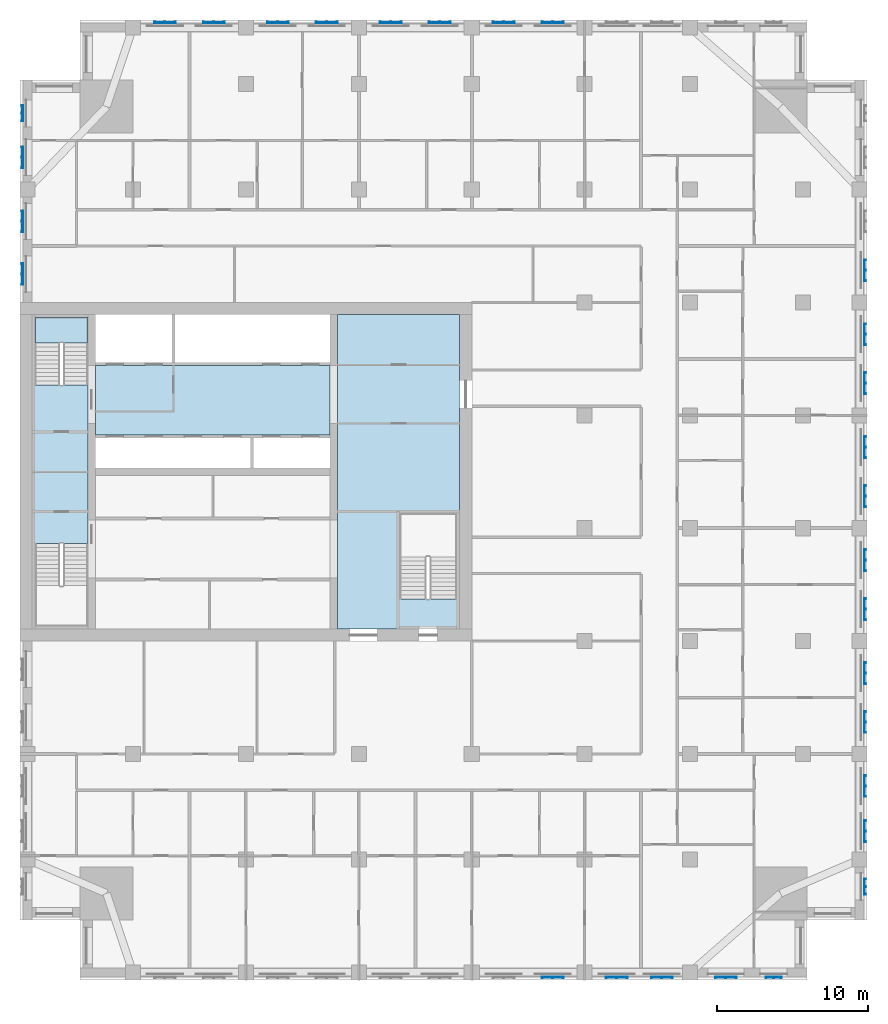
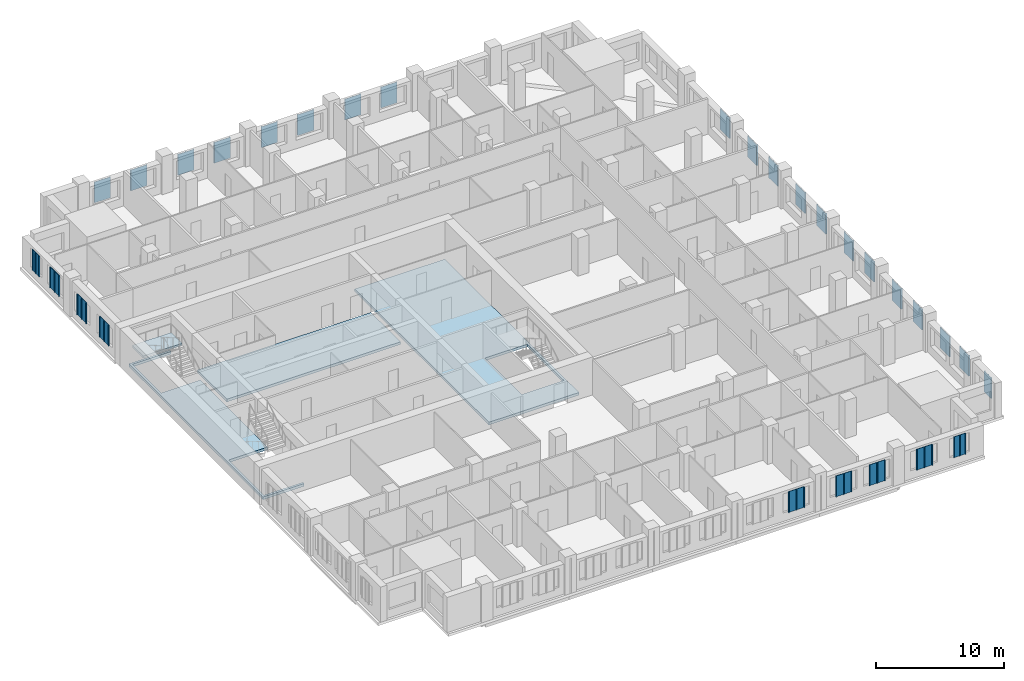
# One storey, part 2 of 13: 29 plates, 4 slabs, 1 element without a shape of its own.
"""IFC4 building model written with IfcOpenShell, lengths in metres."""

from ifc_helpers import new_model, si_unit, direction, frame, origin, place, context, subcontext, project, spatial, polyline, outline, extrude, material, layer, layer_set, type_object, element, aggregate, save


model = new_model("IFC4")

# Units and contexts
model_context = context("Model", 3, precision=1e-05, world=origin(), true_north=direction((0.0, 1.0)))
body_context = subcontext(model_context, "Body", "Model", "MODEL_VIEW")
ifc_project = project(units=[si_unit("LENGTHUNIT", "METRE"), si_unit("AREAUNIT", "SQUARE_METRE"), si_unit("VOLUMEUNIT", "CUBIC_METRE"), si_unit("PLANEANGLEUNIT", "RADIAN"), si_unit("MASSUNIT", "GRAM", prefix="KILO")], contexts=[model_context])

# Site, building, storey
site_placement = place(None, origin())
site = spatial("IfcSite", under=ifc_project, at=site_placement, CompositionType="ELEMENT")
building_placement = place(site_placement, origin())
building = spatial("IfcBuilding", under=site, at=building_placement, Name="Tamorin Gate", CompositionType="ELEMENT")
storey_placement = place(building_placement, frame((0.0, 0.0, 159.0)))
storey = spatial("IfcBuildingStorey", under=building, at=storey_placement, Name="L39", CompositionType="ELEMENT", Elevation=159.0)

# Slabs
ifc_material_1 = material(Name="Concrete C40/50", Category="concrete")
ifc_layer_1 = layer(ifc_material_1, 0.25)
ifc_layer_set_1 = layer_set([ifc_layer_1], Name="Core floor slab 250 C40/50")
slab_type_1 = type_object("IfcSlabType", Name="Core floor slab 250 C40/50", PredefinedType="FLOOR", material=ifc_layer_set_1)
slab_1_placement = place(storey_placement, frame((0.0, 0.0, -0.25)))
element("IfcSlab", 1, at=slab_1_placement, inside=storey, type_object=slab_type_1, Name="Core floor L39", PredefinedType="FLOOR", context=body_context, shape_type="SweptSolid", body=[
    extrude(outline(polyline([(51.10009765625, 81.699951171875), (59.199951171875, 81.699951171875), (59.199951171875, 60.800048828125), (51.10009765625, 60.800048828125), (51.10009765625, 81.699951171875)]), holes=[polyline([(55.199951171875, 62.800048828125), (59.0, 62.800048828125), (59.0, 68.5), (55.199951171875, 68.5), (55.199951171875, 62.800048828125)])]), origin(), (0.0, 0.0, 1.0), 0.25),
])
slab_2_placement = place(storey_placement, frame((0.0, 0.0, -0.25)))
element("IfcSlab", 2, at=slab_2_placement, inside=storey, type_object=slab_type_1, Name="Core floor L39", PredefinedType="FLOOR", context=body_context, shape_type="SweptSolid", body=[
    extrude(outline(polyline([(50.60009765625, 73.699951171875), (35.0, 73.699951171875), (35.0, 78.300048828125), (50.60009765625, 78.300048828125), (50.60009765625, 73.699951171875)])), origin(), (0.0, 0.0, 1.0), 0.25),
])
slab_3_placement = place(storey_placement, frame((0.0, 0.0, -0.25)))
element("IfcSlab", 3, at=slab_3_placement, inside=storey, type_object=slab_type_1, Name="Core floor L39", PredefinedType="FLOOR", context=body_context, shape_type="SweptSolid", body=[
    extrude(outline(polyline([(34.5, 60.800048828125), (30.800048828125, 60.800048828125), (30.800048828125, 81.699951171875), (34.5, 81.699951171875), (34.5, 81.5), (31.0, 81.5), (31.0, 77.0), (34.5, 77.0), (34.5, 66.5), (31.0, 66.5), (31.0, 61.0), (34.5, 61.0), (34.5, 60.800048828125)])), origin(), (0.0, 0.0, 1.0), 0.25),
])

# Stair, slab
stair_type = type_object("IfcStairType", Name="Exit stair", PredefinedType="HALF_TURN_STAIR", material=ifc_material_1)
stair_placement = place(storey_placement, origin())
stair = element("IfcStair", 4, at=stair_placement, inside=storey, type_object=stair_type, Name="L39 stair ST2", PredefinedType="HALF_TURN_STAIR")
ifc_layer_2 = layer(ifc_material_1, 0.199951171875)
ifc_layer_set_2 = layer_set([ifc_layer_2], Name="Exit stair landing 200")
slab_type_2 = type_object("IfcSlabType", Name="Exit stair landing 200", PredefinedType="LANDING", material=ifc_layer_set_2)
slab_4_placement = place(storey_placement, frame((0.0, 0.0, 1.60009765625)))
slab_4 = element("IfcSlab", 5, at=slab_4_placement, type_object=slab_type_2, Name="ST2 landing 1", PredefinedType="LANDING", context=body_context, shape_type="SweptSolid", body=[
    extrude(outline(polyline([(34.5, 79.800048828125), (34.5, 81.5), (31.0, 81.5), (31.0, 79.800048828125), (34.5, 79.800048828125)])), origin(), (0.0, 0.0, 1.0), 0.199951171875),
])
aggregate(stair, [slab_4])

# Plates
ifc_material_2 = material(Name="Perforated pale aluminium sheet", Category="aluminium")
ifc_layer_3 = layer(ifc_material_2, 0.0400390625)
ifc_layer_set_3 = layer_set([ifc_layer_3], Name="Pale metal solar screen 1080")
plate_type_1 = type_object("IfcPlateType", Name="Pale metal solar screen 1080", PredefinedType="SHEET", material=ifc_layer_set_3)
plate_1_placement = place(storey_placement, frame((0.0, 0.0, 0.7099609375)))
element("IfcPlate", 6, at=plate_1_placement, inside=storey, type_object=plate_type_1, Name="Perforated solar screen", PredefinedType="SHEET", context=body_context, shape_type="SweptSolid", body=[
    extrude(outline(polyline([(79.510009765625, 37.659912109375), (79.510009765625, 37.699951171875), (79.570068359375, 37.699951171875), (80.02001953125, 37.699951171875), (80.080078125, 37.699951171875), (80.530029296875, 37.699951171875), (80.590087890625, 37.699951171875), (80.590087890625, 37.659912109375), (80.590087890625, 37.60009765625), (80.530029296875, 37.60009765625), (80.530029296875, 37.659912109375), (80.080078125, 37.659912109375), (80.080078125, 37.60009765625), (80.02001953125, 37.60009765625), (80.02001953125, 37.659912109375), (79.570068359375, 37.659912109375), (79.570068359375, 37.60009765625), (79.510009765625, 37.60009765625), (79.510009765625, 37.659912109375)])), origin(), (0.0, 0.0, 1.0), 1.97998046875),
])
plate_2_placement = place(storey_placement, frame((0.0, 0.0, 0.7099609375)))
element("IfcPlate", 7, at=plate_2_placement, inside=storey, type_object=plate_type_1, Name="Perforated solar screen", PredefinedType="SHEET", context=body_context, shape_type="SweptSolid", body=[
    extrude(outline(polyline([(86.090087890625, 43.159912109375), (86.050048828125, 43.159912109375), (86.050048828125, 43.219970703125), (86.050048828125, 43.669921875), (86.050048828125, 43.72998046875), (86.050048828125, 44.179931640625), (86.050048828125, 44.239990234375), (86.090087890625, 44.239990234375), (86.14990234375, 44.239990234375), (86.14990234375, 44.179931640625), (86.090087890625, 44.179931640625), (86.090087890625, 43.72998046875), (86.14990234375, 43.72998046875), (86.14990234375, 43.669921875), (86.090087890625, 43.669921875), (86.090087890625, 43.219970703125), (86.14990234375, 43.219970703125), (86.14990234375, 43.159912109375), (86.090087890625, 43.159912109375)])), origin(), (0.0, 0.0, 1.0), 1.97998046875),
])
plate_3_placement = place(storey_placement, frame((0.0, 0.0, 0.7099609375)))
element("IfcPlate", 8, at=plate_3_placement, inside=storey, type_object=plate_type_1, Name="Perforated solar screen", PredefinedType="SHEET", context=body_context, shape_type="SweptSolid", body=[
    extrude(outline(polyline([(30.159912109375, 95.590087890625), (30.199951171875, 95.590087890625), (30.199951171875, 95.530029296875), (30.199951171875, 95.080078125), (30.199951171875, 95.02001953125), (30.199951171875, 94.570068359375), (30.199951171875, 94.510009765625), (30.159912109375, 94.510009765625), (30.10009765625, 94.510009765625), (30.10009765625, 94.570068359375), (30.159912109375, 94.570068359375), (30.159912109375, 95.02001953125), (30.10009765625, 95.02001953125), (30.10009765625, 95.080078125), (30.159912109375, 95.080078125), (30.159912109375, 95.530029296875), (30.10009765625, 95.530029296875), (30.10009765625, 95.590087890625), (30.159912109375, 95.590087890625)])), origin(), (0.0, 0.0, 1.0), 1.97998046875),
])
ifc_layer_4 = layer(ifc_material_2, 0.0400390625)
ifc_layer_set_4 = layer_set([ifc_layer_4], Name="Pale metal solar screen 1440")
plate_type_2 = type_object("IfcPlateType", Name="Pale metal solar screen 1440", PredefinedType="SHEET", material=ifc_layer_set_4)
plate_4_placement = place(storey_placement, frame((0.0, 0.0, 0.7099609375)))
element("IfcPlate", 9, at=plate_4_placement, inside=storey, type_object=plate_type_2, Name="Perforated solar screen", PredefinedType="SHEET", context=body_context, shape_type="SweptSolid", body=[
    extrude(outline(polyline([(64.655029296875, 37.659912109375), (64.655029296875, 37.699951171875), (64.715087890625, 37.699951171875), (65.344970703125, 37.699951171875), (65.405029296875, 37.699951171875), (66.034912109375, 37.699951171875), (66.094970703125, 37.699951171875), (66.094970703125, 37.659912109375), (66.094970703125, 37.60009765625), (66.034912109375, 37.60009765625), (66.034912109375, 37.659912109375), (65.405029296875, 37.659912109375), (65.405029296875, 37.60009765625), (65.344970703125, 37.60009765625), (65.344970703125, 37.659912109375), (64.715087890625, 37.659912109375), (64.715087890625, 37.60009765625), (64.655029296875, 37.60009765625), (64.655029296875, 37.659912109375)])), origin(), (0.0, 0.0, 1.0), 1.97998046875),
])
plate_5_placement = place(storey_placement, frame((0.0, 0.0, 0.7099609375)))
element("IfcPlate", 10, at=plate_5_placement, inside=storey, type_object=plate_type_2, Name="Perforated solar screen", PredefinedType="SHEET", context=body_context, shape_type="SweptSolid", body=[
    extrude(outline(polyline([(68.905029296875, 37.659912109375), (68.905029296875, 37.699951171875), (68.965087890625, 37.699951171875), (69.594970703125, 37.699951171875), (69.655029296875, 37.699951171875), (70.284912109375, 37.699951171875), (70.344970703125, 37.699951171875), (70.344970703125, 37.659912109375), (70.344970703125, 37.60009765625), (70.284912109375, 37.60009765625), (70.284912109375, 37.659912109375), (69.655029296875, 37.659912109375), (69.655029296875, 37.60009765625), (69.594970703125, 37.60009765625), (69.594970703125, 37.659912109375), (68.965087890625, 37.659912109375), (68.965087890625, 37.60009765625), (68.905029296875, 37.60009765625), (68.905029296875, 37.659912109375)])), origin(), (0.0, 0.0, 1.0), 1.97998046875),
])
plate_6_placement = place(storey_placement, frame((0.0, 0.0, 0.7099609375)))
element("IfcPlate", 11, at=plate_6_placement, inside=storey, type_object=plate_type_2, Name="Perforated solar screen", PredefinedType="SHEET", context=body_context, shape_type="SweptSolid", body=[
    extrude(outline(polyline([(71.905029296875, 37.659912109375), (71.905029296875, 37.699951171875), (71.965087890625, 37.699951171875), (72.594970703125, 37.699951171875), (72.655029296875, 37.699951171875), (73.284912109375, 37.699951171875), (73.344970703125, 37.699951171875), (73.344970703125, 37.659912109375), (73.344970703125, 37.60009765625), (73.284912109375, 37.60009765625), (73.284912109375, 37.659912109375), (72.655029296875, 37.659912109375), (72.655029296875, 37.60009765625), (72.594970703125, 37.60009765625), (72.594970703125, 37.659912109375), (71.965087890625, 37.659912109375), (71.965087890625, 37.60009765625), (71.905029296875, 37.60009765625), (71.905029296875, 37.659912109375)])), origin(), (0.0, 0.0, 1.0), 1.97998046875),
])
plate_7_placement = place(storey_placement, frame((0.0, 0.0, 0.7099609375)))
element("IfcPlate", 12, at=plate_7_placement, inside=storey, type_object=plate_type_2, Name="Perforated solar screen", PredefinedType="SHEET", context=body_context, shape_type="SweptSolid", body=[
    extrude(outline(polyline([(76.155029296875, 37.659912109375), (76.155029296875, 37.699951171875), (76.215087890625, 37.699951171875), (76.844970703125, 37.699951171875), (76.905029296875, 37.699951171875), (77.534912109375, 37.699951171875), (77.594970703125, 37.699951171875), (77.594970703125, 37.659912109375), (77.594970703125, 37.60009765625), (77.534912109375, 37.60009765625), (77.534912109375, 37.659912109375), (76.905029296875, 37.659912109375), (76.905029296875, 37.60009765625), (76.844970703125, 37.60009765625), (76.844970703125, 37.659912109375), (76.215087890625, 37.659912109375), (76.215087890625, 37.60009765625), (76.155029296875, 37.60009765625), (76.155029296875, 37.659912109375)])), origin(), (0.0, 0.0, 1.0), 1.97998046875),
])
plate_8_placement = place(storey_placement, frame((0.0, 0.0, 0.7099609375)))
element("IfcPlate", 13, at=plate_8_placement, inside=storey, type_object=plate_type_2, Name="Perforated solar screen", PredefinedType="SHEET", context=body_context, shape_type="SweptSolid", body=[
    extrude(outline(polyline([(86.090087890625, 46.655029296875), (86.050048828125, 46.655029296875), (86.050048828125, 46.715087890625), (86.050048828125, 47.344970703125), (86.050048828125, 47.405029296875), (86.050048828125, 48.034912109375), (86.050048828125, 48.094970703125), (86.050048828125, 48.094970703125), (86.090087890625, 48.094970703125), (86.090087890625, 48.094970703125), (86.14990234375, 48.094970703125), (86.14990234375, 48.034912109375), (86.090087890625, 48.034912109375), (86.090087890625, 47.405029296875), (86.14990234375, 47.405029296875), (86.14990234375, 47.344970703125), (86.090087890625, 47.344970703125), (86.090087890625, 46.715087890625), (86.14990234375, 46.715087890625), (86.14990234375, 46.655029296875), (86.090087890625, 46.655029296875)])), origin(), (0.0, 0.0, 1.0), 1.97998046875),
])
plate_9_placement = place(storey_placement, frame((0.0, 0.0, 0.7099609375)))
element("IfcPlate", 14, at=plate_9_placement, inside=storey, type_object=plate_type_2, Name="Perforated solar screen", PredefinedType="SHEET", context=body_context, shape_type="SweptSolid", body=[
    extrude(outline(polyline([(86.090087890625, 49.655029296875), (86.050048828125, 49.655029296875), (86.050048828125, 49.715087890625), (86.050048828125, 50.344970703125), (86.050048828125, 50.405029296875), (86.050048828125, 51.034912109375), (86.050048828125, 51.094970703125), (86.090087890625, 51.094970703125), (86.14990234375, 51.094970703125), (86.14990234375, 51.034912109375), (86.090087890625, 51.034912109375), (86.090087890625, 50.405029296875), (86.14990234375, 50.405029296875), (86.14990234375, 50.344970703125), (86.090087890625, 50.344970703125), (86.090087890625, 49.715087890625), (86.14990234375, 49.715087890625), (86.14990234375, 49.655029296875), (86.090087890625, 49.655029296875)])), origin(), (0.0, 0.0, 1.0), 1.97998046875),
])
plate_10_placement = place(storey_placement, frame((0.0, 0.0, 0.7099609375)))
element("IfcPlate", 15, at=plate_10_placement, inside=storey, type_object=plate_type_2, Name="Perforated solar screen", PredefinedType="SHEET", context=body_context, shape_type="SweptSolid", body=[
    extrude(outline(polyline([(86.090087890625, 53.905029296875), (86.050048828125, 53.905029296875), (86.050048828125, 53.965087890625), (86.050048828125, 54.594970703125), (86.050048828125, 54.655029296875), (86.050048828125, 55.284912109375), (86.050048828125, 55.344970703125), (86.090087890625, 55.344970703125), (86.14990234375, 55.344970703125), (86.14990234375, 55.284912109375), (86.090087890625, 55.284912109375), (86.090087890625, 54.655029296875), (86.14990234375, 54.655029296875), (86.14990234375, 54.594970703125), (86.090087890625, 54.594970703125), (86.090087890625, 53.965087890625), (86.14990234375, 53.965087890625), (86.14990234375, 53.905029296875), (86.090087890625, 53.905029296875)])), origin(), (0.0, 0.0, 1.0), 1.97998046875),
])
plate_11_placement = place(storey_placement, frame((0.0, 0.0, 0.7099609375)))
element("IfcPlate", 16, at=plate_11_placement, inside=storey, type_object=plate_type_2, Name="Perforated solar screen", PredefinedType="SHEET", context=body_context, shape_type="SweptSolid", body=[
    extrude(outline(polyline([(86.090087890625, 57.155029296875), (86.050048828125, 57.155029296875), (86.050048828125, 57.215087890625), (86.050048828125, 57.844970703125), (86.050048828125, 57.905029296875), (86.050048828125, 58.534912109375), (86.050048828125, 58.594970703125), (86.090087890625, 58.594970703125), (86.14990234375, 58.594970703125), (86.14990234375, 58.534912109375), (86.090087890625, 58.534912109375), (86.090087890625, 57.905029296875), (86.14990234375, 57.905029296875), (86.14990234375, 57.844970703125), (86.090087890625, 57.844970703125), (86.090087890625, 57.215087890625), (86.14990234375, 57.215087890625), (86.14990234375, 57.155029296875), (86.090087890625, 57.155029296875)])), origin(), (0.0, 0.0, 1.0), 1.97998046875),
])
plate_12_placement = place(storey_placement, frame((0.0, 0.0, 0.7099609375)))
element("IfcPlate", 17, at=plate_12_placement, inside=storey, type_object=plate_type_2, Name="Perforated solar screen", PredefinedType="SHEET", context=body_context, shape_type="SweptSolid", body=[
    extrude(outline(polyline([(86.090087890625, 61.405029296875), (86.050048828125, 61.405029296875), (86.050048828125, 61.465087890625), (86.050048828125, 62.094970703125), (86.050048828125, 62.155029296875), (86.050048828125, 62.784912109375), (86.050048828125, 62.844970703125), (86.090087890625, 62.844970703125), (86.14990234375, 62.844970703125), (86.14990234375, 62.784912109375), (86.090087890625, 62.784912109375), (86.090087890625, 62.155029296875), (86.14990234375, 62.155029296875), (86.14990234375, 62.094970703125), (86.090087890625, 62.094970703125), (86.090087890625, 61.465087890625), (86.14990234375, 61.465087890625), (86.14990234375, 61.405029296875), (86.090087890625, 61.405029296875)])), origin(), (0.0, 0.0, 1.0), 1.97998046875),
])
plate_13_placement = place(storey_placement, frame((0.0, 0.0, 0.7099609375)))
element("IfcPlate", 18, at=plate_13_placement, inside=storey, type_object=plate_type_2, Name="Perforated solar screen", PredefinedType="SHEET", context=body_context, shape_type="SweptSolid", body=[
    extrude(outline(polyline([(86.090087890625, 64.655029296875), (86.050048828125, 64.655029296875), (86.050048828125, 64.715087890625), (86.050048828125, 65.344970703125), (86.050048828125, 65.405029296875), (86.050048828125, 66.034912109375), (86.050048828125, 66.094970703125), (86.090087890625, 66.094970703125), (86.14990234375, 66.094970703125), (86.14990234375, 66.034912109375), (86.090087890625, 66.034912109375), (86.090087890625, 65.405029296875), (86.14990234375, 65.405029296875), (86.14990234375, 65.344970703125), (86.090087890625, 65.344970703125), (86.090087890625, 64.715087890625), (86.14990234375, 64.715087890625), (86.14990234375, 64.655029296875), (86.090087890625, 64.655029296875)])), origin(), (0.0, 0.0, 1.0), 1.97998046875),
])
plate_14_placement = place(storey_placement, frame((0.0, 0.0, 0.7099609375)))
element("IfcPlate", 19, at=plate_14_placement, inside=storey, type_object=plate_type_2, Name="Perforated solar screen", PredefinedType="SHEET", context=body_context, shape_type="SweptSolid", body=[
    extrude(outline(polyline([(86.090087890625, 68.905029296875), (86.050048828125, 68.905029296875), (86.050048828125, 68.965087890625), (86.050048828125, 69.594970703125), (86.050048828125, 69.655029296875), (86.050048828125, 70.284912109375), (86.050048828125, 70.344970703125), (86.090087890625, 70.344970703125), (86.14990234375, 70.344970703125), (86.14990234375, 70.284912109375), (86.090087890625, 70.284912109375), (86.090087890625, 69.655029296875), (86.14990234375, 69.655029296875), (86.14990234375, 69.594970703125), (86.090087890625, 69.594970703125), (86.090087890625, 68.965087890625), (86.14990234375, 68.965087890625), (86.14990234375, 68.905029296875), (86.090087890625, 68.905029296875)])), origin(), (0.0, 0.0, 1.0), 1.97998046875),
])
plate_15_placement = place(storey_placement, frame((0.0, 0.0, 0.7099609375)))
element("IfcPlate", 20, at=plate_15_placement, inside=storey, type_object=plate_type_2, Name="Perforated solar screen", PredefinedType="SHEET", context=body_context, shape_type="SweptSolid", body=[
    extrude(outline(polyline([(86.090087890625, 72.155029296875), (86.050048828125, 72.155029296875), (86.050048828125, 72.215087890625), (86.050048828125, 72.844970703125), (86.050048828125, 72.905029296875), (86.050048828125, 73.534912109375), (86.050048828125, 73.594970703125), (86.090087890625, 73.594970703125), (86.14990234375, 73.594970703125), (86.14990234375, 73.534912109375), (86.090087890625, 73.534912109375), (86.090087890625, 72.905029296875), (86.14990234375, 72.905029296875), (86.14990234375, 72.844970703125), (86.090087890625, 72.844970703125), (86.090087890625, 72.215087890625), (86.14990234375, 72.215087890625), (86.14990234375, 72.155029296875), (86.090087890625, 72.155029296875)])), origin(), (0.0, 0.0, 1.0), 1.97998046875),
])
plate_16_placement = place(storey_placement, frame((0.0, 0.0, 0.7099609375)))
element("IfcPlate", 21, at=plate_16_placement, inside=storey, type_object=plate_type_2, Name="Perforated solar screen", PredefinedType="SHEET", context=body_context, shape_type="SweptSolid", body=[
    extrude(outline(polyline([(86.090087890625, 76.405029296875), (86.050048828125, 76.405029296875), (86.050048828125, 76.465087890625), (86.050048828125, 77.094970703125), (86.050048828125, 77.155029296875), (86.050048828125, 77.784912109375), (86.050048828125, 77.844970703125), (86.090087890625, 77.844970703125), (86.14990234375, 77.844970703125), (86.14990234375, 77.784912109375), (86.090087890625, 77.784912109375), (86.090087890625, 77.155029296875), (86.14990234375, 77.155029296875), (86.14990234375, 77.094970703125), (86.090087890625, 77.094970703125), (86.090087890625, 76.465087890625), (86.14990234375, 76.465087890625), (86.14990234375, 76.405029296875), (86.090087890625, 76.405029296875)])), origin(), (0.0, 0.0, 1.0), 1.97998046875),
])
plate_17_placement = place(storey_placement, frame((0.0, 0.0, 0.7099609375)))
element("IfcPlate", 22, at=plate_17_placement, inside=storey, type_object=plate_type_2, Name="Perforated solar screen", PredefinedType="SHEET", context=body_context, shape_type="SweptSolid", body=[
    extrude(outline(polyline([(86.090087890625, 79.655029296875), (86.050048828125, 79.655029296875), (86.050048828125, 79.715087890625), (86.050048828125, 80.344970703125), (86.050048828125, 80.405029296875), (86.050048828125, 81.034912109375), (86.050048828125, 81.094970703125), (86.090087890625, 81.094970703125), (86.14990234375, 81.094970703125), (86.14990234375, 81.034912109375), (86.090087890625, 81.034912109375), (86.090087890625, 80.405029296875), (86.14990234375, 80.405029296875), (86.14990234375, 80.344970703125), (86.090087890625, 80.344970703125), (86.090087890625, 79.715087890625), (86.14990234375, 79.715087890625), (86.14990234375, 79.655029296875), (86.090087890625, 79.655029296875)])), origin(), (0.0, 0.0, 1.0), 1.97998046875),
])
plate_18_placement = place(storey_placement, frame((0.0, 0.0, 0.7099609375)))
element("IfcPlate", 23, at=plate_18_placement, inside=storey, type_object=plate_type_2, Name="Perforated solar screen", PredefinedType="SHEET", context=body_context, shape_type="SweptSolid", body=[
    extrude(outline(polyline([(86.090087890625, 83.905029296875), (86.050048828125, 83.905029296875), (86.050048828125, 83.965087890625), (86.050048828125, 84.594970703125), (86.050048828125, 84.655029296875), (86.050048828125, 85.284912109375), (86.050048828125, 85.344970703125), (86.090087890625, 85.344970703125), (86.14990234375, 85.344970703125), (86.14990234375, 85.284912109375), (86.090087890625, 85.284912109375), (86.090087890625, 84.655029296875), (86.14990234375, 84.655029296875), (86.14990234375, 84.594970703125), (86.090087890625, 84.594970703125), (86.090087890625, 83.965087890625), (86.14990234375, 83.965087890625), (86.14990234375, 83.905029296875), (86.090087890625, 83.905029296875)])), origin(), (0.0, 0.0, 1.0), 1.97998046875),
])
plate_19_placement = place(storey_placement, frame((0.0, 0.0, 0.7099609375)))
element("IfcPlate", 24, at=plate_19_placement, inside=storey, type_object=plate_type_2, Name="Perforated solar screen", PredefinedType="SHEET", context=body_context, shape_type="SweptSolid", body=[
    extrude(outline(polyline([(62.844970703125, 101.090087890625), (62.844970703125, 101.050048828125), (62.784912109375, 101.050048828125), (62.155029296875, 101.050048828125), (62.094970703125, 101.050048828125), (61.465087890625, 101.050048828125), (61.405029296875, 101.050048828125), (61.405029296875, 101.090087890625), (61.405029296875, 101.14990234375), (61.465087890625, 101.14990234375), (61.465087890625, 101.090087890625), (62.094970703125, 101.090087890625), (62.094970703125, 101.14990234375), (62.155029296875, 101.14990234375), (62.155029296875, 101.090087890625), (62.784912109375, 101.090087890625), (62.784912109375, 101.14990234375), (62.844970703125, 101.14990234375), (62.844970703125, 101.090087890625)])), origin(), (0.0, 0.0, 1.0), 1.97998046875),
])
plate_20_placement = place(storey_placement, frame((0.0, 0.0, 0.7099609375)))
element("IfcPlate", 25, at=plate_20_placement, inside=storey, type_object=plate_type_2, Name="Perforated solar screen", PredefinedType="SHEET", context=body_context, shape_type="SweptSolid", body=[
    extrude(outline(polyline([(66.094970703125, 101.090087890625), (66.094970703125, 101.050048828125), (66.034912109375, 101.050048828125), (65.405029296875, 101.050048828125), (65.344970703125, 101.050048828125), (64.715087890625, 101.050048828125), (64.655029296875, 101.050048828125), (64.655029296875, 101.090087890625), (64.655029296875, 101.14990234375), (64.715087890625, 101.14990234375), (64.715087890625, 101.090087890625), (65.344970703125, 101.090087890625), (65.344970703125, 101.14990234375), (65.405029296875, 101.14990234375), (65.405029296875, 101.090087890625), (66.034912109375, 101.090087890625), (66.034912109375, 101.14990234375), (66.094970703125, 101.14990234375), (66.094970703125, 101.090087890625)])), origin(), (0.0, 0.0, 1.0), 1.97998046875),
])
plate_21_placement = place(storey_placement, frame((0.0, 0.0, 0.7099609375)))
element("IfcPlate", 26, at=plate_21_placement, inside=storey, type_object=plate_type_2, Name="Perforated solar screen", PredefinedType="SHEET", context=body_context, shape_type="SweptSolid", body=[
    extrude(outline(polyline([(55.344970703125, 101.090087890625), (55.344970703125, 101.050048828125), (55.284912109375, 101.050048828125), (54.655029296875, 101.050048828125), (54.594970703125, 101.050048828125), (53.965087890625, 101.050048828125), (53.905029296875, 101.050048828125), (53.905029296875, 101.090087890625), (53.905029296875, 101.14990234375), (53.965087890625, 101.14990234375), (53.965087890625, 101.090087890625), (54.594970703125, 101.090087890625), (54.594970703125, 101.14990234375), (54.655029296875, 101.14990234375), (54.655029296875, 101.090087890625), (55.284912109375, 101.090087890625), (55.284912109375, 101.14990234375), (55.344970703125, 101.14990234375), (55.344970703125, 101.090087890625)])), origin(), (0.0, 0.0, 1.0), 1.97998046875),
])
plate_22_placement = place(storey_placement, frame((0.0, 0.0, 0.7099609375)))
element("IfcPlate", 27, at=plate_22_placement, inside=storey, type_object=plate_type_2, Name="Perforated solar screen", PredefinedType="SHEET", context=body_context, shape_type="SweptSolid", body=[
    extrude(outline(polyline([(58.594970703125, 101.090087890625), (58.594970703125, 101.050048828125), (58.534912109375, 101.050048828125), (57.905029296875, 101.050048828125), (57.844970703125, 101.050048828125), (57.215087890625, 101.050048828125), (57.155029296875, 101.050048828125), (57.155029296875, 101.090087890625), (57.155029296875, 101.14990234375), (57.215087890625, 101.14990234375), (57.215087890625, 101.090087890625), (57.844970703125, 101.090087890625), (57.844970703125, 101.14990234375), (57.905029296875, 101.14990234375), (57.905029296875, 101.090087890625), (58.534912109375, 101.090087890625), (58.534912109375, 101.14990234375), (58.594970703125, 101.14990234375), (58.594970703125, 101.090087890625)])), origin(), (0.0, 0.0, 1.0), 1.97998046875),
])
plate_23_placement = place(storey_placement, frame((0.0, 0.0, 0.7099609375)))
element("IfcPlate", 28, at=plate_23_placement, inside=storey, type_object=plate_type_2, Name="Perforated solar screen", PredefinedType="SHEET", context=body_context, shape_type="SweptSolid", body=[
    extrude(outline(polyline([(47.844970703125, 101.090087890625), (47.844970703125, 101.050048828125), (47.784912109375, 101.050048828125), (47.155029296875, 101.050048828125), (47.094970703125, 101.050048828125), (46.465087890625, 101.050048828125), (46.405029296875, 101.050048828125), (46.405029296875, 101.090087890625), (46.405029296875, 101.14990234375), (46.465087890625, 101.14990234375), (46.465087890625, 101.090087890625), (47.094970703125, 101.090087890625), (47.094970703125, 101.14990234375), (47.155029296875, 101.14990234375), (47.155029296875, 101.090087890625), (47.784912109375, 101.090087890625), (47.784912109375, 101.14990234375), (47.844970703125, 101.14990234375), (47.844970703125, 101.090087890625)])), origin(), (0.0, 0.0, 1.0), 1.97998046875),
])
plate_24_placement = place(storey_placement, frame((0.0, 0.0, 0.7099609375)))
element("IfcPlate", 29, at=plate_24_placement, inside=storey, type_object=plate_type_2, Name="Perforated solar screen", PredefinedType="SHEET", context=body_context, shape_type="SweptSolid", body=[
    extrude(outline(polyline([(51.094970703125, 101.090087890625), (51.094970703125, 101.050048828125), (51.034912109375, 101.050048828125), (50.405029296875, 101.050048828125), (50.344970703125, 101.050048828125), (49.715087890625, 101.050048828125), (49.655029296875, 101.050048828125), (49.655029296875, 101.090087890625), (49.655029296875, 101.14990234375), (49.715087890625, 101.14990234375), (49.715087890625, 101.090087890625), (50.344970703125, 101.090087890625), (50.344970703125, 101.14990234375), (50.405029296875, 101.14990234375), (50.405029296875, 101.090087890625), (51.034912109375, 101.090087890625), (51.034912109375, 101.14990234375), (51.094970703125, 101.14990234375), (51.094970703125, 101.090087890625)])), origin(), (0.0, 0.0, 1.0), 1.97998046875),
])
plate_25_placement = place(storey_placement, frame((0.0, 0.0, 0.7099609375)))
element("IfcPlate", 30, at=plate_25_placement, inside=storey, type_object=plate_type_2, Name="Perforated solar screen", PredefinedType="SHEET", context=body_context, shape_type="SweptSolid", body=[
    extrude(outline(polyline([(40.344970703125, 101.090087890625), (40.344970703125, 101.050048828125), (40.284912109375, 101.050048828125), (39.655029296875, 101.050048828125), (39.594970703125, 101.050048828125), (38.965087890625, 101.050048828125), (38.905029296875, 101.050048828125), (38.905029296875, 101.090087890625), (38.905029296875, 101.14990234375), (38.965087890625, 101.14990234375), (38.965087890625, 101.090087890625), (39.594970703125, 101.090087890625), (39.594970703125, 101.14990234375), (39.655029296875, 101.14990234375), (39.655029296875, 101.090087890625), (40.284912109375, 101.090087890625), (40.284912109375, 101.14990234375), (40.344970703125, 101.14990234375), (40.344970703125, 101.090087890625)])), origin(), (0.0, 0.0, 1.0), 1.97998046875),
])
plate_26_placement = place(storey_placement, frame((0.0, 0.0, 0.7099609375)))
element("IfcPlate", 31, at=plate_26_placement, inside=storey, type_object=plate_type_2, Name="Perforated solar screen", PredefinedType="SHEET", context=body_context, shape_type="SweptSolid", body=[
    extrude(outline(polyline([(43.594970703125, 101.090087890625), (43.594970703125, 101.050048828125), (43.534912109375, 101.050048828125), (42.905029296875, 101.050048828125), (42.844970703125, 101.050048828125), (42.215087890625, 101.050048828125), (42.155029296875, 101.050048828125), (42.155029296875, 101.090087890625), (42.155029296875, 101.14990234375), (42.215087890625, 101.14990234375), (42.215087890625, 101.090087890625), (42.844970703125, 101.090087890625), (42.844970703125, 101.14990234375), (42.905029296875, 101.14990234375), (42.905029296875, 101.090087890625), (43.534912109375, 101.090087890625), (43.534912109375, 101.14990234375), (43.594970703125, 101.14990234375), (43.594970703125, 101.090087890625)])), origin(), (0.0, 0.0, 1.0), 1.97998046875),
])
plate_27_placement = place(storey_placement, frame((0.0, 0.0, 0.7099609375)))
element("IfcPlate", 32, at=plate_27_placement, inside=storey, type_object=plate_type_2, Name="Perforated solar screen", PredefinedType="SHEET", context=body_context, shape_type="SweptSolid", body=[
    extrude(outline(polyline([(30.159912109375, 92.844970703125), (30.199951171875, 92.844970703125), (30.199951171875, 92.784912109375), (30.199951171875, 92.155029296875), (30.199951171875, 92.094970703125), (30.199951171875, 91.465087890625), (30.199951171875, 91.405029296875), (30.199951171875, 91.405029296875), (30.159912109375, 91.405029296875), (30.159912109375, 91.405029296875), (30.10009765625, 91.405029296875), (30.10009765625, 91.465087890625), (30.159912109375, 91.465087890625), (30.159912109375, 92.094970703125), (30.10009765625, 92.094970703125), (30.10009765625, 92.155029296875), (30.159912109375, 92.155029296875), (30.159912109375, 92.784912109375), (30.10009765625, 92.784912109375), (30.10009765625, 92.844970703125), (30.159912109375, 92.844970703125)])), origin(), (0.0, 0.0, 1.0), 1.97998046875),
])
plate_28_placement = place(storey_placement, frame((0.0, 0.0, 0.7099609375)))
element("IfcPlate", 33, at=plate_28_placement, inside=storey, type_object=plate_type_2, Name="Perforated solar screen", PredefinedType="SHEET", context=body_context, shape_type="SweptSolid", body=[
    extrude(outline(polyline([(30.159912109375, 85.094970703125), (30.199951171875, 85.094970703125), (30.199951171875, 85.034912109375), (30.199951171875, 84.405029296875), (30.199951171875, 84.344970703125), (30.199951171875, 83.715087890625), (30.199951171875, 83.655029296875), (30.159912109375, 83.655029296875), (30.10009765625, 83.655029296875), (30.10009765625, 83.715087890625), (30.159912109375, 83.715087890625), (30.159912109375, 84.344970703125), (30.10009765625, 84.344970703125), (30.10009765625, 84.405029296875), (30.159912109375, 84.405029296875), (30.159912109375, 85.034912109375), (30.10009765625, 85.034912109375), (30.10009765625, 85.094970703125), (30.159912109375, 85.094970703125)])), origin(), (0.0, 0.0, 1.0), 1.97998046875),
])
plate_29_placement = place(storey_placement, frame((0.0, 0.0, 0.7099609375)))
element("IfcPlate", 34, at=plate_29_placement, inside=storey, type_object=plate_type_2, Name="Perforated solar screen", PredefinedType="SHEET", context=body_context, shape_type="SweptSolid", body=[
    extrude(outline(polyline([(30.159912109375, 88.594970703125), (30.199951171875, 88.594970703125), (30.199951171875, 88.534912109375), (30.199951171875, 87.905029296875), (30.199951171875, 87.844970703125), (30.199951171875, 87.215087890625), (30.199951171875, 87.155029296875), (30.159912109375, 87.155029296875), (30.10009765625, 87.155029296875), (30.10009765625, 87.215087890625), (30.159912109375, 87.215087890625), (30.159912109375, 87.844970703125), (30.10009765625, 87.844970703125), (30.10009765625, 87.905029296875), (30.159912109375, 87.905029296875), (30.159912109375, 88.534912109375), (30.10009765625, 88.534912109375), (30.10009765625, 88.594970703125), (30.159912109375, 88.594970703125)])), origin(), (0.0, 0.0, 1.0), 1.97998046875),
])

save(model, "model.ifc")
